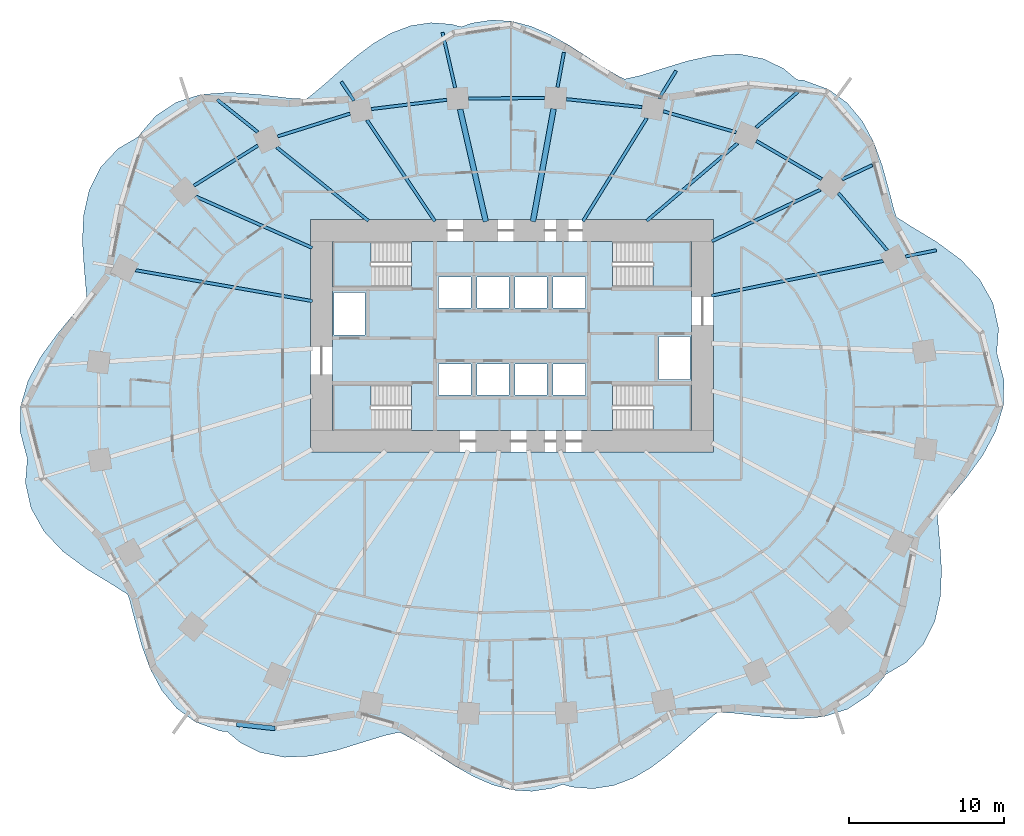
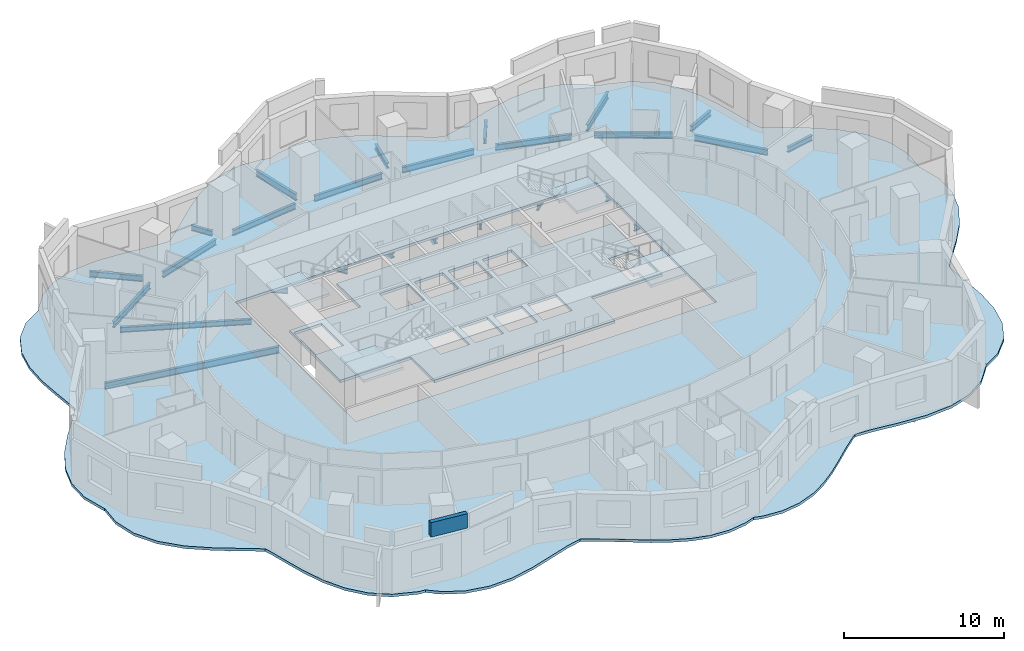
# One storey, part 2 of 11: 26 beams, 6 slabs, 1 wall, 4 elements without a shape of their own.
"""IFC4 building model written with IfcOpenShell, lengths in metres."""

from ifc_helpers import new_model, si_unit, direction, frame, frame_2d, origin, origin_2d, place, context, subcontext, project, spatial, polyline, rectangle, i_section, outline, extrude, material, layer, layer_set, material_profile, profile_set, type_object, element, aggregate, save


model = new_model("IFC4")

# Units and contexts
model_context = context("Model", 3, precision=1e-05, world=origin(), true_north=direction((0.0, 1.0)))
body_context = subcontext(model_context, "Body", "Model", "MODEL_VIEW")
ifc_project = project(units=[si_unit("LENGTHUNIT", "METRE"), si_unit("AREAUNIT", "SQUARE_METRE"), si_unit("VOLUMEUNIT", "CUBIC_METRE"), si_unit("PLANEANGLEUNIT", "RADIAN"), si_unit("MASSUNIT", "GRAM", prefix="KILO")], contexts=[model_context])

# Site, building, storey
site_placement = place(None, origin())
site = spatial("IfcSite", under=ifc_project, at=site_placement, CompositionType="ELEMENT")
building_placement = place(site_placement, origin())
building = spatial("IfcBuilding", under=site, at=building_placement, Name="Rubra Terraces Tower", CompositionType="ELEMENT")
storey_placement = place(building_placement, frame((0.0, 0.0, 59.10009765625)))
storey = spatial("IfcBuildingStorey", under=building, at=storey_placement, Name="L12", CompositionType="ELEMENT", Elevation=59.10009765625)

# Beams
ifc_material_1 = material(Name="Steel Q355B", Category="steel")
ifc_material_profile_1 = material_profile(ifc_material_1, i_section(OverallWidth=0.199951171875, OverallDepth=0.39990234375, WebThickness=0.008056640625, FlangeThickness=0.012939453125, at=origin_2d()), Name="HN 400x200x8x13")
ifc_profile_set_1 = profile_set([ifc_material_profile_1], Name="Steel Q355B")
beam_type_1 = type_object("IfcBeamType", Name="CANTILEVER BEAM HN 400x200x8x13", PredefinedType="BEAM", material=ifc_profile_set_1)
beam_1_placement = place(storey_placement, frame((25.39599609375, 9.6279296875, -0.400146484375), z_axis=(0.980195903265, 0.198030278548, 0.0), x_axis=(-0.198030278548, 0.980195903265, 0.0)))
element("IfcBeam", 1, at=beam_1_placement, inside=storey, type_object=beam_type_1, Name="beam-L12-cant-02", PredefinedType="BEAM", context=body_context, shape_type="SweptSolid", body=[
    extrude(i_section(OverallWidth=0.199951171875, OverallDepth=0.39990234375, WebThickness=0.008056640625, FlangeThickness=0.012939453125, at=origin_2d()), origin(), (0.0, 0.0, 1.0), 2.035400390625),
])
beam_2_placement = place(storey_placement, frame((21.2958984375, 14.595947265625, -0.400146484375), z_axis=(0.903592750277, 0.428392508859, 0.0), x_axis=(-0.428392508859, 0.903592750277, 0.0)))
element("IfcBeam", 2, at=beam_2_placement, inside=storey, type_object=beam_type_1, Name="beam-L12-cant-03", PredefinedType="BEAM", context=body_context, shape_type="SweptSolid", body=[
    extrude(i_section(OverallWidth=0.199951171875, OverallDepth=0.39990234375, WebThickness=0.008056640625, FlangeThickness=0.012939453125, at=origin_2d()), origin(), (0.0, 0.0, 1.0), 2.159423828125),
])
beam_3_placement = place(storey_placement, frame((9.488037109375, 19.827880859375, -0.400146484375), z_axis=(0.526190071233, 0.850366984857, 0.0), x_axis=(-0.850366984857, 0.526190071233, 0.0)))
element("IfcBeam", 3, at=beam_3_placement, inside=storey, type_object=beam_type_1, Name="beam-L12-cant-05", PredefinedType="BEAM", context=body_context, shape_type="SweptSolid", body=[
    extrude(i_section(OverallWidth=0.199951171875, OverallDepth=0.39990234375, WebThickness=0.008056640625, FlangeThickness=0.012939453125, at=origin_2d()), origin(), (0.0, 0.0, 1.0), 2.094482421875),
])
beam_4_placement = place(storey_placement, frame((2.93798828125, 20.549072265625, -0.400146484375), z_axis=(0.180314089166, 0.983609083553, 0.0), x_axis=(-0.983609083553, 0.180314089166, 0.0)))
element("IfcBeam", 4, at=beam_4_placement, inside=storey, type_object=beam_type_1, Name="beam-L12-cant-06", PredefinedType="BEAM", context=body_context, shape_type="SweptSolid", body=[
    extrude(i_section(OverallWidth=0.199951171875, OverallDepth=0.39990234375, WebThickness=0.008056640625, FlangeThickness=0.012939453125, at=origin_2d()), origin(), (0.0, 0.0, 1.0), 2.285400390625),
])
beam_5_placement = place(storey_placement, frame((-10.199951171875, 19.68310546875, -0.400146484375), z_axis=(-0.55771272849, 0.830034042965, 0.0), x_axis=(-0.830034042965, -0.55771272849, 0.0)))
element("IfcBeam", 5, at=beam_5_placement, inside=storey, type_object=beam_type_1, Name="beam-L12-cant-08", PredefinedType="BEAM", context=body_context, shape_type="SweptSolid", body=[
    extrude(i_section(OverallWidth=0.199951171875, OverallDepth=0.39990234375, WebThickness=0.008056640625, FlangeThickness=0.012939453125, at=origin_2d()), origin(), (0.0, 0.0, 1.0), 1.4755859375),
])
ifc_material_profile_2 = material_profile(ifc_material_1, i_section(OverallWidth=0.198974609375, OverallDepth=0.446044921875, WebThickness=0.008056640625, FlangeThickness=0.011962890625, at=origin_2d()), Name="HN 446x199x8x12")
ifc_profile_set_2 = profile_set([ifc_material_profile_2], Name="Steel Q355B")
beam_type_2 = type_object("IfcBeamType", Name="CANTILEVER BEAM HN 446x199x8x12", PredefinedType="BEAM", material=ifc_profile_set_2)
beam_6_placement = place(storey_placement, frame((-16.408935546875, 17.654052734375, -0.423095703125), z_axis=(-0.780378478689, 0.62530746837, 0.0), x_axis=(-0.62530746837, -0.780378478689, 0.0)))
element("IfcBeam", 6, at=beam_6_placement, inside=storey, type_object=beam_type_2, Name="beam-L12-cant-09", PredefinedType="BEAM", context=body_context, shape_type="SweptSolid", body=[
    extrude(i_section(OverallWidth=0.198974609375, OverallDepth=0.446044921875, WebThickness=0.008056640625, FlangeThickness=0.011962890625, at=origin_2d()), origin(), (0.0, 0.0, 1.0), 3.353515625),
])
ifc_material_profile_3 = material_profile(ifc_material_1, i_section(OverallWidth=0.198974609375, OverallDepth=0.49609375, WebThickness=0.009033203125, FlangeThickness=0.013916015625, at=origin_2d()), Name="HN 496x199x9x14")
ifc_profile_set_3 = profile_set([ifc_material_profile_3], Name="Steel Q355B")
beam_type_3 = type_object("IfcBeamType", Name="CANTILEVER BEAM HN 496x199x9x14", PredefinedType="BEAM", material=ifc_profile_set_3)
beam_7_placement = place(storey_placement, frame((15.7509765625, 17.947998046875, -0.447998046875), z_axis=(0.760549427377, 0.649280038594, 0.0), x_axis=(-0.649280038594, 0.760549427377, 0.0)))
element("IfcBeam", 7, at=beam_7_placement, inside=storey, type_object=beam_type_3, Name="beam-L12-cant-04", PredefinedType="BEAM", context=body_context, shape_type="SweptSolid", body=[
    extrude(i_section(OverallWidth=0.198974609375, OverallDepth=0.49609375, WebThickness=0.009033203125, FlangeThickness=0.013916015625, at=origin_2d()), origin(), (0.0, 0.0, 1.0), 3.901123046875),
])
beam_8_placement = place(storey_placement, frame((-3.6669921875, 20.514892578125, -0.447998046875), z_axis=(-0.22319553445, 0.974773693429, 0.0), x_axis=(-0.974773693429, -0.22319553445, 0.0)))
element("IfcBeam", 8, at=beam_8_placement, inside=storey, type_object=beam_type_3, Name="beam-L12-cant-07", PredefinedType="BEAM", context=body_context, shape_type="SweptSolid", body=[
    extrude(i_section(OverallWidth=0.198974609375, OverallDepth=0.49609375, WebThickness=0.009033203125, FlangeThickness=0.013916015625, at=origin_2d()), origin(), (0.0, 0.0, 1.0), 3.66552734375),
])
ifc_material_profile_4 = material_profile(ifc_material_1, i_section(OverallWidth=0.199951171875, OverallDepth=0.39990234375, WebThickness=0.008056640625, FlangeThickness=0.012939453125, at=origin_2d()), Name="HN 400x200x8x13")
ifc_profile_set_4 = profile_set([ifc_material_profile_4], Name="Steel Q355B")
beam_type_4 = type_object("IfcBeamType", Name="FLOOR BEAM HN 400x200x8x13", PredefinedType="BEAM", material=ifc_profile_set_4)
beam_9_placement = place(storey_placement, frame((19.904052734375, 13.93603515625, -0.400146484375), z_axis=(-0.903612237836, -0.428351402045, 0.0), x_axis=(0.428351402045, -0.903612237836, 0.0)))
element("IfcBeam", 9, at=beam_9_placement, inside=storey, type_object=beam_type_4, Name="beam-L12-floor-03", PredefinedType="BEAM", context=body_context, shape_type="SweptSolid", body=[
    extrude(i_section(OverallWidth=0.199951171875, OverallDepth=0.39990234375, WebThickness=0.008056640625, FlangeThickness=0.012939453125, at=origin_2d()), origin(), (0.0, 0.0, 1.0), 7.760009765625),
])
beam_10_placement = place(storey_placement, frame((14.56298828125, 16.93408203125, -0.400146484375), z_axis=(-0.760494401061, -0.649344489431, 0.0), x_axis=(0.649344489431, -0.760494401061, 0.0)))
element("IfcBeam", 10, at=beam_10_placement, inside=storey, type_object=beam_type_4, Name="beam-L12-floor-04", PredefinedType="BEAM", context=body_context, shape_type="SweptSolid", body=[
    extrude(i_section(OverallWidth=0.199951171875, OverallDepth=0.39990234375, WebThickness=0.008056640625, FlangeThickness=0.012939453125, at=origin_2d()), origin(), (0.0, 0.0, 1.0), 7.718505859375),
])
beam_11_placement = place(storey_placement, frame((8.699951171875, 18.555908203125, -0.400146484375), z_axis=(-0.526285914839, -0.850307671283, 0.0), x_axis=(0.850307671283, -0.526285914839, 0.0)))
element("IfcBeam", 11, at=beam_11_placement, inside=storey, type_object=beam_type_4, Name="beam-L12-floor-05", PredefinedType="BEAM", context=body_context, shape_type="SweptSolid", body=[
    extrude(i_section(OverallWidth=0.199951171875, OverallDepth=0.39990234375, WebThickness=0.008056640625, FlangeThickness=0.012939453125, at=origin_2d()), origin(), (0.0, 0.0, 1.0), 7.830078125),
])
beam_12_placement = place(storey_placement, frame((-9.360107421875, 18.43310546875, -0.400146484375), z_axis=(0.557574689395, -0.830126776912, 0.0), x_axis=(0.830126776912, 0.557574689395, 0.0)))
element("IfcBeam", 12, at=beam_12_placement, inside=storey, type_object=beam_type_4, Name="beam-L12-floor-08", PredefinedType="BEAM", context=body_context, shape_type="SweptSolid", body=[
    extrude(i_section(OverallWidth=0.199951171875, OverallDepth=0.39990234375, WebThickness=0.008056640625, FlangeThickness=0.012939453125, at=origin_2d()), origin(), (0.0, 0.0, 1.0), 7.8701171875),
])
beam_13_placement = place(storey_placement, frame((-15.18896484375, 16.676025390625, -0.400146484375), z_axis=(0.780266406942, -0.625447307291, 0.0), x_axis=(0.625447307291, 0.780266406942, 0.0)))
element("IfcBeam", 13, at=beam_13_placement, inside=storey, type_object=beam_type_4, Name="beam-L12-floor-09", PredefinedType="BEAM", context=body_context, shape_type="SweptSolid", body=[
    extrude(i_section(OverallWidth=0.199951171875, OverallDepth=0.39990234375, WebThickness=0.008056640625, FlangeThickness=0.012939453125, at=origin_2d()), origin(), (0.0, 0.0, 1.0), 7.59619140625),
])
beam_14_placement = place(storey_placement, frame((-20.43310546875, 13.508056640625, -0.400146484375), z_axis=(0.914994662209, -0.4034659442, 0.0), x_axis=(0.4034659442, 0.914994662209, 0.0)))
element("IfcBeam", 14, at=beam_14_placement, inside=storey, type_object=beam_type_4, Name="beam-L12-floor-10", PredefinedType="BEAM", context=body_context, shape_type="SweptSolid", body=[
    extrude(i_section(OverallWidth=0.199951171875, OverallDepth=0.39990234375, WebThickness=0.008056640625, FlangeThickness=0.012939453125, at=origin_2d()), origin(), (0.0, 0.0, 1.0), 8.243896484375),
])
ifc_material_profile_5 = material_profile(ifc_material_1, i_section(OverallWidth=0.198974609375, OverallDepth=0.49609375, WebThickness=0.009033203125, FlangeThickness=0.013916015625, at=origin_2d()), Name="HN 496x199x9x14")
ifc_profile_set_5 = profile_set([ifc_material_profile_5], Name="Steel Q355B")
beam_type_5 = type_object("IfcBeamType", Name="FLOOR BEAM HN 496x199x9x14", PredefinedType="BEAM", material=ifc_profile_set_5)
beam_15_placement = place(storey_placement, frame((23.9560546875, 9.337890625, -0.447998046875), z_axis=(-0.980204035637, -0.197990021264, 0.0), x_axis=(0.197990021264, -0.980204035637, 0.0)))
element("IfcBeam", 15, at=beam_15_placement, inside=storey, type_object=beam_type_5, Name="beam-L12-floor-02", PredefinedType="BEAM", context=body_context, shape_type="SweptSolid", body=[
    extrude(i_section(OverallWidth=0.198974609375, OverallDepth=0.49609375, WebThickness=0.009033203125, FlangeThickness=0.013916015625, at=origin_2d()), origin(), (0.0, 0.0, 1.0), 11.297607421875),
])
beam_16_placement = place(storey_placement, frame((-24.282958984375, 8.739990234375, -0.447998046875), z_axis=(0.985091834527, -0.172029292701, 0.0), x_axis=(0.172029292701, 0.985091834527, 0.0)))
element("IfcBeam", 16, at=beam_16_placement, inside=storey, type_object=beam_type_5, Name="beam-L12-floor-11", PredefinedType="BEAM", context=body_context, shape_type="SweptSolid", body=[
    extrude(i_section(OverallWidth=0.198974609375, OverallDepth=0.49609375, WebThickness=0.009033203125, FlangeThickness=0.013916015625, at=origin_2d()), origin(), (0.0, 0.0, 1.0), 11.573486328125),
])
ifc_material_profile_6 = material_profile(ifc_material_1, i_section(OverallWidth=0.35009765625, OverallDepth=0.35009765625, WebThickness=0.011962890625, FlangeThickness=0.01904296875, at=origin_2d()), Name="HW 350x350x12x19")
ifc_profile_set_6 = profile_set([ifc_material_profile_6], Name="Steel Q355B")
beam_type_6 = type_object("IfcBeamType", Name="FLOOR BEAM HW 350x350x12x19", PredefinedType="BEAM", material=ifc_profile_set_6)
beam_17_placement = place(storey_placement, frame((2.68408203125, 19.158935546875, -0.375), z_axis=(-0.180186319425, -0.983632497578, 0.0), x_axis=(0.983632497578, -0.180186319425, 0.0)))
element("IfcBeam", 17, at=beam_17_placement, inside=storey, type_object=beam_type_6, Name="beam-L12-floor-06", PredefinedType="BEAM", context=body_context, shape_type="SweptSolid", body=[
    extrude(i_section(OverallWidth=0.35009765625, OverallDepth=0.35009765625, WebThickness=0.011962890625, FlangeThickness=0.01904296875, at=origin_2d()), origin(), (0.0, 0.0, 1.0), 7.39794921875),
])
beam_18_placement = place(storey_placement, frame((-3.35107421875, 19.133056640625, -0.375), z_axis=(0.223209821828, -0.974770421914, 0.0), x_axis=(0.974770421914, 0.223209821828, 0.0)))
element("IfcBeam", 18, at=beam_18_placement, inside=storey, type_object=beam_type_6, Name="beam-L12-floor-07", PredefinedType="BEAM", context=body_context, shape_type="SweptSolid", body=[
    extrude(i_section(OverallWidth=0.35009765625, OverallDepth=0.35009765625, WebThickness=0.011962890625, FlangeThickness=0.01904296875, at=origin_2d()), origin(), (0.0, 0.0, 1.0), 7.437744140625),
])
ifc_material_profile_7 = material_profile(ifc_material_1, i_section(OverallWidth=0.198974609375, OverallDepth=0.446044921875, WebThickness=0.008056640625, FlangeThickness=0.011962890625, at=origin_2d()), Name="HN 446x199x8x12")
ifc_profile_set_7 = profile_set([ifc_material_profile_7], Name="Steel Q355B")
beam_type_7 = type_object("IfcBeamType", Name="SPANDREL BEAM HN 446x199x8x12", PredefinedType="SPANDREL", material=ifc_profile_set_7)
beam_19_placement = place(storey_placement, frame((24.212890625, 10.02587890625, -0.423095703125), z_axis=(-0.648447050824, 0.761259760054, 0.0), x_axis=(-0.761259760054, -0.648447050824, 0.0)))
element("IfcBeam", 19, at=beam_19_placement, inside=storey, type_object=beam_type_7, Name="beam-L12-spandrel-02", PredefinedType="SPANDREL", context=body_context, shape_type="SweptSolid", body=[
    extrude(i_section(OverallWidth=0.198974609375, OverallDepth=0.446044921875, WebThickness=0.008056640625, FlangeThickness=0.011962890625, at=origin_2d()), origin(), (0.0, 0.0, 1.0), 4.860595703125),
])
beam_20_placement = place(storey_placement, frame((19.987060546875, 14.6240234375, -0.423095703125), z_axis=(-0.863806081452, 0.503824427402, 0.0), x_axis=(-0.503824427402, -0.863806081452, 0.0)))
element("IfcBeam", 20, at=beam_20_placement, inside=storey, type_object=beam_type_7, Name="beam-L12-spandrel-03", PredefinedType="SPANDREL", context=body_context, shape_type="SweptSolid", body=[
    extrude(i_section(OverallWidth=0.198974609375, OverallDepth=0.446044921875, WebThickness=0.008056640625, FlangeThickness=0.011962890625, at=origin_2d()), origin(), (0.0, 0.0, 1.0), 4.886474609375),
])
beam_21_placement = place(storey_placement, frame((14.47900390625, 17.636962890625, -0.423095703125), z_axis=(-0.960743980202, 0.277436487337, 0.0), x_axis=(-0.277436487337, -0.960743980202, 0.0)))
element("IfcBeam", 21, at=beam_21_placement, inside=storey, type_object=beam_type_7, Name="beam-L12-spandrel-04", PredefinedType="SPANDREL", context=body_context, shape_type="SweptSolid", body=[
    extrude(i_section(OverallWidth=0.198974609375, OverallDepth=0.446044921875, WebThickness=0.008056640625, FlangeThickness=0.011962890625, at=origin_2d()), origin(), (0.0, 0.0, 1.0), 4.90234375),
])
beam_22_placement = place(storey_placement, frame((8.39501953125, 19.26611328125, -0.423095703125), z_axis=(-0.994495375694, 0.104780473964, 0.0), x_axis=(-0.104780473964, -0.994495375694, 0.0)))
element("IfcBeam", 22, at=beam_22_placement, inside=storey, type_object=beam_type_7, Name="beam-L12-spandrel-05", PredefinedType="SPANDREL", context=body_context, shape_type="SweptSolid", body=[
    extrude(i_section(OverallWidth=0.198974609375, OverallDepth=0.446044921875, WebThickness=0.008056640625, FlangeThickness=0.011962890625, at=origin_2d()), origin(), (0.0, 0.0, 1.0), 4.9140625),
])
beam_23_placement = place(storey_placement, frame((2.110107421875, 19.85107421875, -0.423095703125), z_axis=(-0.999987924698, -0.004914311469, 0.0), x_axis=(0.004914311469, -0.999987924698, 0.0)))
element("IfcBeam", 23, at=beam_23_placement, inside=storey, type_object=beam_type_7, Name="beam-L12-spandrel-06", PredefinedType="SPANDREL", context=body_context, shape_type="SweptSolid", body=[
    extrude(i_section(OverallWidth=0.198974609375, OverallDepth=0.446044921875, WebThickness=0.008056640625, FlangeThickness=0.011962890625, at=origin_2d()), origin(), (0.0, 0.0, 1.0), 4.918212890625),
])
beam_24_placement = place(storey_placement, frame((-4.205078125, 19.739013671875, -0.423095703125), z_axis=(-0.992616576014, -0.12129440639, 0.0), x_axis=(0.12129440639, -0.992616576014, 0.0)))
element("IfcBeam", 24, at=beam_24_placement, inside=storey, type_object=beam_type_7, Name="beam-L12-spandrel-07", PredefinedType="SPANDREL", context=body_context, shape_type="SweptSolid", body=[
    extrude(i_section(OverallWidth=0.198974609375, OverallDepth=0.446044921875, WebThickness=0.008056640625, FlangeThickness=0.011962890625, at=origin_2d()), origin(), (0.0, 0.0, 1.0), 4.913330078125),
])
beam_25_placement = place(storey_placement, frame((-10.450927734375, 18.846923828125, -0.423095703125), z_axis=(-0.953954624663, -0.299950952796, 0.0), x_axis=(0.299950952796, -0.953954624663, 0.0)))
element("IfcBeam", 25, at=beam_25_placement, inside=storey, type_object=beam_type_7, Name="beam-L12-spandrel-08", PredefinedType="SPANDREL", context=body_context, shape_type="SweptSolid", body=[
    extrude(i_section(OverallWidth=0.198974609375, OverallDepth=0.446044921875, WebThickness=0.008056640625, FlangeThickness=0.011962890625, at=origin_2d()), origin(), (0.0, 0.0, 1.0), 4.900634765625),
])
beam_26_placement = place(storey_placement, frame((-16.39697265625, 16.7900390625, -0.423095703125), z_axis=(-0.847078460197, -0.531467856291, 0.0), x_axis=(0.531467856291, -0.847078460197, 0.0)))
element("IfcBeam", 26, at=beam_26_placement, inside=storey, type_object=beam_type_7, Name="beam-L12-spandrel-09", PredefinedType="SPANDREL", context=body_context, shape_type="SweptSolid", body=[
    extrude(i_section(OverallWidth=0.198974609375, OverallDepth=0.446044921875, WebThickness=0.008056640625, FlangeThickness=0.011962890625, at=origin_2d()), origin(), (0.0, 0.0, 1.0), 4.882568359375),
])

# Slab
ifc_material_2 = material(Name="Concrete C40", Category="concrete")
ifc_layer_1 = layer(ifc_material_2, 0.199951171875)
ifc_layer_set_1 = layer_set([ifc_layer_1], Name="Concrete C40")
slab_type_1 = type_object("IfcSlabType", Name="Core floor slab 200 concrete", PredefinedType="FLOOR", material=ifc_layer_set_1)
slab_1_placement = place(storey_placement, frame((0.0, 0.0, -0.2001953125)))
element("IfcSlab", 27, at=slab_1_placement, inside=storey, type_object=slab_type_1, Name="CORE FLOOR SLAB L12", PredefinedType="FLOOR", context=body_context, shape_type="SweptSolid", body=[
    extrude(outline(polyline([(-11.60009765625, 1.347900390625), (-11.60009765625, 7.652099609375), (-6.501953125, 7.652099609375), (-6.501953125, 10.60009765625), (6.501953125, 10.60009765625), (6.501953125, 7.652099609375), (11.60009765625, 7.652099609375), (11.60009765625, 1.347900390625), (6.501953125, 1.347900390625), (6.501953125, -1.60009765625), (-6.501953125, -1.60009765625), (-6.501953125, 1.347900390625), (-11.60009765625, 1.347900390625)]), holes=[polyline([(9.5, 1.699951171875), (11.5, 1.699951171875), (11.5, 4.449951171875), (9.5, 4.449951171875), (9.5, 1.699951171875)]), polyline([(4.75, 0.699951171875), (4.75, 2.699951171875), (2.64990234375, 2.699951171875), (2.64990234375, 0.699951171875), (4.75, 0.699951171875)]), polyline([(4.75, 6.300048828125), (4.75, 8.300048828125), (2.64990234375, 8.300048828125), (2.64990234375, 6.300048828125), (4.75, 6.300048828125)]), polyline([(2.25, 0.699951171875), (2.25, 2.699951171875), (0.199951171875, 2.699951171875), (0.199951171875, 0.699951171875), (2.25, 0.699951171875)]), polyline([(2.25, 6.300048828125), (2.25, 8.300048828125), (0.199951171875, 8.300048828125), (0.199951171875, 6.300048828125), (2.25, 6.300048828125)]), polyline([(-0.199951171875, 0.699951171875), (-0.199951171875, 2.699951171875), (-2.25, 2.699951171875), (-2.25, 0.699951171875), (-0.199951171875, 0.699951171875)]), polyline([(-0.199951171875, 6.300048828125), (-0.199951171875, 8.300048828125), (-2.25, 8.300048828125), (-2.25, 6.300048828125), (-0.199951171875, 6.300048828125)]), polyline([(-2.64990234375, 0.699951171875), (-2.64990234375, 2.699951171875), (-4.75, 2.699951171875), (-4.75, 0.699951171875), (-2.64990234375, 0.699951171875)]), polyline([(-2.64990234375, 8.300048828125), (-4.75, 8.300048828125), (-4.75, 6.300048828125), (-2.64990234375, 6.300048828125), (-2.64990234375, 8.300048828125)]), polyline([(-9.5, 7.300048828125), (-11.5, 7.300048828125), (-11.5, 4.550048828125), (-9.5, 4.550048828125), (-9.5, 7.300048828125)])]), origin(), (0.0, 0.0, 1.0), 0.2001953125),
])

# Stair, slab
stair_type = type_object("IfcStairType", Name="Core stair 1400", PredefinedType="HALF_TURN_STAIR", material=ifc_material_2)
stair_1_placement = place(storey_placement, origin())
stair_1 = element("IfcStair", 28, at=stair_1_placement, inside=storey, type_object=stair_type, Name="L12 Exit stair S1", PredefinedType="HALF_TURN_STAIR")
ifc_layer_2 = layer(ifc_material_2, 0.199951171875)
ifc_layer_set_2 = layer_set([ifc_layer_2], Name="Concrete C40")
slab_type_2 = type_object("IfcSlabType", Name="Core stair landing 200", PredefinedType="LANDING", material=ifc_layer_set_2)
slab_2_placement = place(storey_placement, frame((0.0, 0.0, 1.599853515625)))
slab_2 = element("IfcSlab", 29, at=slab_2_placement, type_object=slab_type_2, Name="S1 landing 1", PredefinedType="LANDING", context=body_context, shape_type="SweptSolid", body=[
    extrude(outline(polyline([(-8.719970703125, -0.199951171875), (-8.719970703125, -1.60009765625), (-9.10009765625, -1.60009765625), (-9.1201171875, -1.60009765625), (-11.60009765625, -1.60009765625), (-11.60009765625, 1.35009765625), (-9.1201171875, 1.35009765625), (-9.097900390625, 1.35009765625), (-9.097900390625, -0.050048828125), (-9.10009765625, -0.050048828125), (-9.10009765625, -0.199951171875), (-8.719970703125, -0.199951171875)])), origin(), (0.0, 0.0, 1.0), 0.199951171875),
])
aggregate(stair_1, [slab_2])

stair_2_placement = place(storey_placement, origin())
stair_2 = element("IfcStair", 30, at=stair_2_placement, inside=storey, type_object=stair_type, Name="L12 Exit stair S2", PredefinedType="HALF_TURN_STAIR")
slab_3_placement = place(storey_placement, frame((0.0, 0.0, 1.599853515625)))
slab_3 = element("IfcSlab", 31, at=slab_3_placement, type_object=slab_type_2, Name="S2 landing 1", PredefinedType="LANDING", context=body_context, shape_type="SweptSolid", body=[
    extrude(outline(polyline([(-8.719970703125, 9.050048828125), (-8.719970703125, 7.64990234375), (-9.1201171875, 7.64990234375), (-11.60009765625, 7.64990234375), (-11.60009765625, 10.60009765625), (-9.1201171875, 10.60009765625), (-9.10009765625, 10.60009765625), (-9.097900390625, 10.60009765625), (-9.097900390625, 9.199951171875), (-9.10009765625, 9.199951171875), (-9.10009765625, 9.050048828125), (-8.719970703125, 9.050048828125)])), origin(), (0.0, 0.0, 1.0), 0.199951171875),
])
aggregate(stair_2, [slab_3])

stair_3_placement = place(storey_placement, origin())
stair_3 = element("IfcStair", 32, at=stair_3_placement, inside=storey, type_object=stair_type, Name="L12 Exit stair S3", PredefinedType="HALF_TURN_STAIR")
slab_4_placement = place(storey_placement, frame((0.0, 0.0, 1.599853515625)))
slab_4 = element("IfcSlab", 33, at=slab_4_placement, type_object=slab_type_2, Name="S3 landing 1", PredefinedType="LANDING", context=body_context, shape_type="SweptSolid", body=[
    extrude(outline(polyline([(9.10009765625, 9.050048828125), (9.10009765625, 9.199951171875), (8.719970703125, 9.199951171875), (8.719970703125, 10.60009765625), (9.10009765625, 10.60009765625), (9.1201171875, 10.60009765625), (11.60009765625, 10.60009765625), (11.60009765625, 7.64990234375), (9.1201171875, 7.64990234375), (9.097900390625, 7.64990234375), (9.097900390625, 9.050048828125), (9.10009765625, 9.050048828125)])), origin(), (0.0, 0.0, 1.0), 0.199951171875),
])
aggregate(stair_3, [slab_4])

stair_4_placement = place(storey_placement, origin())
stair_4 = element("IfcStair", 34, at=stair_4_placement, inside=storey, type_object=stair_type, Name="L12 Exit stair S4", PredefinedType="HALF_TURN_STAIR")
slab_5_placement = place(storey_placement, frame((0.0, 0.0, 1.599853515625)))
slab_5 = element("IfcSlab", 35, at=slab_5_placement, type_object=slab_type_2, Name="S4 landing 1", PredefinedType="LANDING", context=body_context, shape_type="SweptSolid", body=[
    extrude(outline(polyline([(9.10009765625, -0.199951171875), (9.10009765625, -0.050048828125), (8.719970703125, -0.050048828125), (8.719970703125, 1.35009765625), (9.10009765625, 1.35009765625), (9.1201171875, 1.35009765625), (11.60009765625, 1.35009765625), (11.60009765625, -1.60009765625), (9.1201171875, -1.60009765625), (9.10009765625, -1.60009765625), (9.097900390625, -1.60009765625), (9.097900390625, -0.199951171875), (9.10009765625, -0.199951171875)])), origin(), (0.0, 0.0, 1.0), 0.199951171875),
])
aggregate(stair_4, [slab_5])

# Slab
ifc_layer_3 = layer(ifc_material_2, 0.199951171875)
ifc_layer_set_3 = layer_set([ifc_layer_3], Name="Concrete C40")
slab_type_3 = type_object("IfcSlabType", Name="FLOOR SLAB 200 COMPOSITE", PredefinedType="FLOOR", material=ifc_layer_set_3)
slab_6_placement = place(storey_placement, frame((0.0, 0.0, -0.2001953125)))
element("IfcSlab", 36, at=slab_6_placement, inside=storey, type_object=slab_type_3, Name="FLOOR SLAB L12", PredefinedType="FLOOR", context=body_context, shape_type="SweptSolid", body=[
    extrude(outline(polyline([(27.47509765625, -7.322021484375), (27.472900390625, -6.94189453125), (28.19189453125, -6.01806640625), (29.33203125, -4.64599609375), (30.39111328125, -3.19189453125), (31.22998046875, -1.62109375), (31.70703125, 0.0), (31.751953125, 1.637939453125), (31.323974609375, 3.27587890625), (31.277099609375, 3.362060546875), (31.404052734375, 4.97412109375), (31.041015625, 6.618896484375), (30.197021484375, 8.123046875), (28.97705078125, 9.4150390625), (27.410888671875, 10.569091796875), (25.825927734375, 11.528076171875), (24.80908203125, 12.177001953125), (24.673095703125, 12.571044921875), (24.30908203125, 13.97412109375), (23.90087890625, 15.469970703125), (23.35791015625, 16.970947265625), (22.611083984375, 18.364990234375), (21.62890625, 19.54296875), (20.419921875, 20.419921875), (18.81201171875, 21.001953125), (18.388916015625, 21.0390625), (17.5400390625, 21.7451171875), (16.259033203125, 22.3779296875), (14.679931640625, 22.69189453125), (13.01708984375, 22.616943359375), (11.337890625, 22.251953125), (9.77099609375, 21.76904296875), (8.261962890625, 21.300048828125), (7.27197265625, 21.080078125), (6.904052734375, 21.25), (5.85400390625, 21.866943359375), (4.782958984375, 22.55810546875), (3.68408203125, 23.259033203125), (2.47412109375, 23.943115234375), (1.240966796875, 24.47900390625), (0.0, 24.806884765625), (-1.281005859375, 24.889892578125), (-2.568115234375, 24.697021484375), (-3.27587890625, 24.446044921875), (-3.89892578125, 24.618896484375), (-5.22705078125, 24.718017578125), (-6.5380859375, 24.52197265625), (-7.81103515625, 24.041015625), (-8.944091796875, 23.3779296875), (-10.02294921875, 22.568115234375), (-11.048095703125, 21.68310546875), (-12.050048828125, 20.785888671875), (-13.029052734375, 19.968017578125), (-13.2919921875, 19.785888671875), (-12.971923828125, 19.76708984375), (-14.424072265625, 19.85302734375), (-16.263916015625, 20.075927734375), (-18.18408203125, 20.22412109375), (-20.0830078125, 20.0830078125), (-21.64111328125, 19.592041015625), (-22.986083984375, 18.7119140625), (-24.048095703125, 17.471923828125), (-24.759033203125, 16.074951171875), (-24.10693359375, 17.35693359375), (-25.419921875, 16.591064453125), (-26.54296875, 15.39697265625), (-27.2900390625, 13.905029296875), (-27.653076171875, 12.283935546875), (-27.72509765625, 10.60595703125), (-27.6201171875, 8.97412109375), (-27.47509765625, 7.322021484375), (-27.472900390625, 6.94189453125), (-28.19189453125, 6.01806640625), (-29.33203125, 4.64599609375), (-30.39111328125, 3.19189453125), (-31.22998046875, 1.62109375), (-31.70703125, 0.0), (-31.751953125, -1.637939453125), (-31.323974609375, -3.27587890625), (-31.277099609375, -3.362060546875), (-31.404052734375, -4.97412109375), (-31.041015625, -6.618896484375), (-30.197021484375, -8.123046875), (-28.97705078125, -9.4150390625), (-27.410888671875, -10.569091796875), (-25.825927734375, -11.528076171875), (-24.80908203125, -12.177001953125), (-24.673095703125, -12.571044921875), (-24.30908203125, -13.97412109375), (-23.90087890625, -15.469970703125), (-23.35791015625, -16.970947265625), (-22.611083984375, -18.364990234375), (-21.62890625, -19.54296875), (-20.419921875, -20.419921875), (-18.81201171875, -21.001953125), (-18.388916015625, -21.0390625), (-17.5400390625, -21.7451171875), (-16.259033203125, -22.3779296875), (-14.679931640625, -22.69189453125), (-13.01708984375, -22.616943359375), (-11.337890625, -22.251953125), (-9.77099609375, -21.76904296875), (-8.261962890625, -21.300048828125), (-7.27197265625, -21.080078125), (-6.904052734375, -21.25), (-5.85400390625, -21.866943359375), (-4.782958984375, -22.55810546875), (-3.68408203125, -23.259033203125), (-2.47412109375, -23.943115234375), (-1.240966796875, -24.47900390625), (0.0, -24.806884765625), (1.281005859375, -24.889892578125), (2.568115234375, -24.697021484375), (3.27587890625, -24.446044921875), (3.89892578125, -24.618896484375), (5.22705078125, -24.718017578125), (6.5380859375, -24.52197265625), (7.81103515625, -24.041015625), (8.944091796875, -23.3779296875), (10.02294921875, -22.568115234375), (11.048095703125, -21.68310546875), (12.050048828125, -20.785888671875), (13.029052734375, -19.968017578125), (13.2919921875, -19.785888671875), (12.971923828125, -19.76708984375), (14.424072265625, -19.85302734375), (16.263916015625, -20.075927734375), (18.18408203125, -20.22412109375), (20.0830078125, -20.0830078125), (21.64111328125, -19.592041015625), (22.986083984375, -18.7119140625), (24.048095703125, -17.471923828125), (24.759033203125, -16.074951171875), (24.10693359375, -17.35693359375), (25.419921875, -16.591064453125), (26.54296875, -15.39697265625), (27.2900390625, -13.905029296875), (27.653076171875, -12.283935546875), (27.72509765625, -10.60595703125), (27.6201171875, -8.97412109375), (27.47509765625, -7.322021484375)]), holes=[polyline([(13.0, 12.0), (13.0, -3.0), (-13.0, -3.0), (-13.0, 12.0), (13.0, 12.0)])]), origin(), (0.0, 0.0, 1.0), 0.2001953125),
])

# Wall
ifc_material_3 = material(Name="Brick masonry red-brown", Category="masonry")
ifc_layer_4 = layer(ifc_material_3, 0.300048828125)
ifc_layer_set_4 = layer_set([ifc_layer_4], Name="Brick masonry red-brown")
wall_type = type_object("IfcWallType", Name="Brick parapet 300", PredefinedType="PARAPET", material=ifc_layer_set_4)
wall_placement = place(storey_placement, frame((-17.77197265625, -20.558837890625, 3.599853515625), z_axis=(0.0, 0.0, 1.0), x_axis=(0.994063072833, -0.108805363973, 0.0)))
element("IfcWall", 37, at=wall_placement, inside=storey, type_object=wall_type, Name="Parapet L12 bay 26.2", PredefinedType="PARAPET", context=body_context, shape_type="SweptSolid", body=[
    extrude(rectangle(XDim=2.488525390625, YDim=0.300048828125, at=frame_2d((1.244140625, 0.0))), origin(), (0.0, 0.0, 1.0), 1.10009765625),
])

save(model, "model.ifc")
